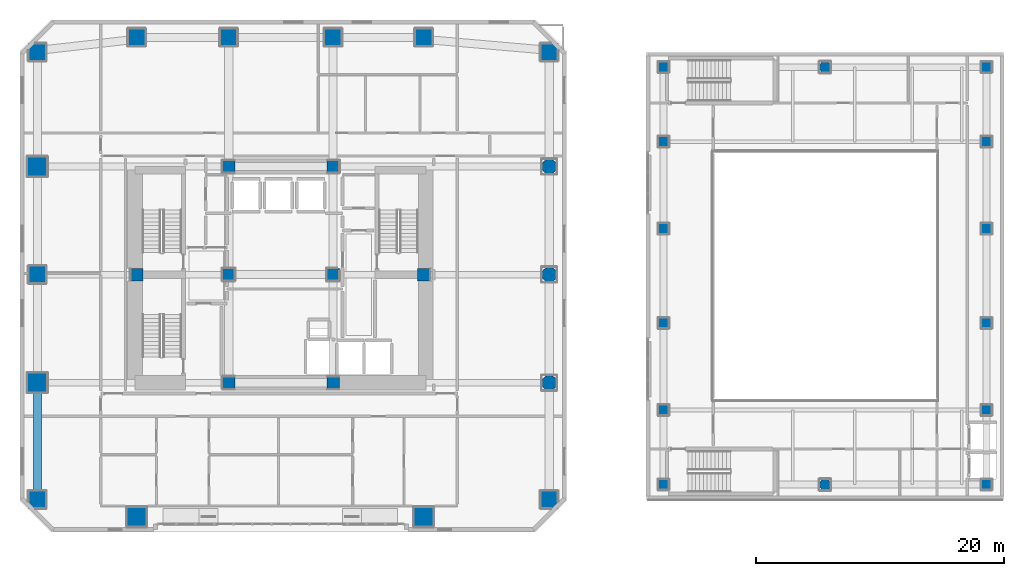
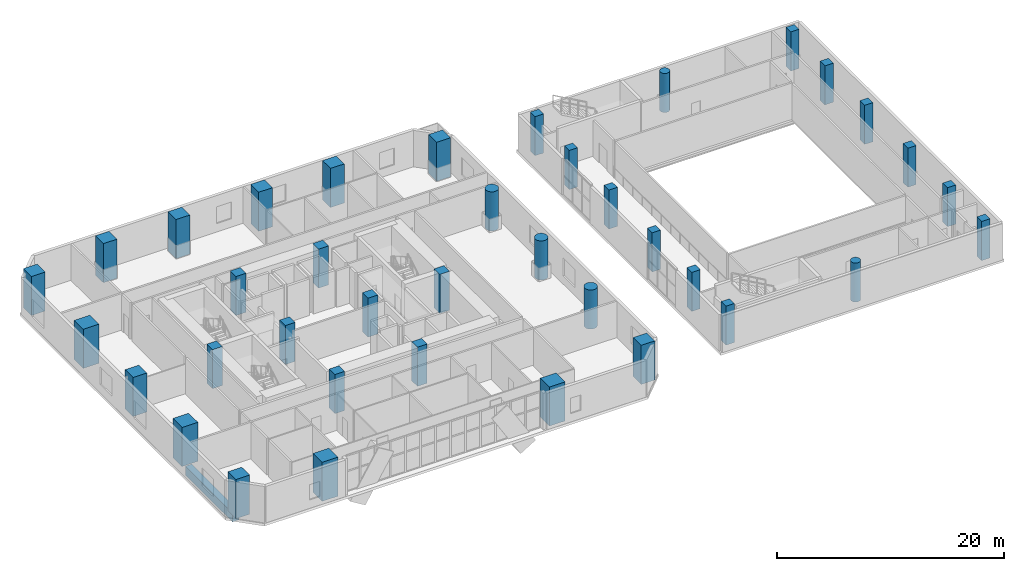
# One storey, part 1 of 20: 38 columns, 1 beam.
"""IFC4 building model written with IfcOpenShell, lengths in metres."""

from ifc_helpers import new_model, si_unit, direction, frame, origin, origin_2d, place, context, subcontext, project, spatial, rectangle, circle, extrude, material, material_profile, profile_set, type_object, element, save


model = new_model("IFC4")

# Units and contexts
model_context = context("Model", 3, precision=1e-05, world=origin(), true_north=direction((0.0, 1.0)))
body_context = subcontext(model_context, "Body", "Model", "MODEL_VIEW")
ifc_project = project(units=[si_unit("LENGTHUNIT", "METRE"), si_unit("AREAUNIT", "SQUARE_METRE"), si_unit("VOLUMEUNIT", "CUBIC_METRE"), si_unit("PLANEANGLEUNIT", "RADIAN"), si_unit("MASSUNIT", "GRAM", prefix="KILO")], contexts=[model_context])

# Site, building, storey
site_placement = place(None, origin())
site = spatial("IfcSite", under=ifc_project, at=site_placement, CompositionType="ELEMENT")
building_placement = place(site_placement, origin())
building = spatial("IfcBuilding", under=site, at=building_placement, Name="Solanera Arch Residences", CompositionType="ELEMENT")
storey_placement = place(building_placement, frame((0.0, 0.0, 9.39990234375)))
storey = spatial("IfcBuildingStorey", under=building, at=storey_placement, Name="L02", CompositionType="ELEMENT", Elevation=9.39990234375)

# Columns
ifc_material_1 = material(Name="Concrete C55/67 (f'c = 60 MPa)", Category="concrete")
ifc_material_profile_1 = material_profile(ifc_material_1, rectangle(XDim=1.0, YDim=1.0, at=origin_2d()))
ifc_profile_set_1 = profile_set([ifc_material_profile_1], Name="Concrete C55/67 (f'c = 60 MPa)")
column_type_1 = type_object("IfcColumnType", Name="Structural Column RC-COL-1000X1000", PredefinedType="COLUMN", material=ifc_profile_set_1)
for number, where, z_axis, x_axis, name in (
    (1, (20.800048828125, 22.0, 0.0), (0.0, 0.0, 1.0), (1.0, 0.0, 0.0), "COL-L02-CB-SW"),
    (2, (29.199951171875, 22.0, 0.0), (0.0, 0.0, 1.0), (1.0, 0.0, 0.0), "COL-L02-CB-SE"),
    (3, (20.800048828125, 39.39990234375, 0.0), (0.0, 0.0, 1.0), (1.0, 0.0, 0.0), "COL-L02-CB-NW"),
    (4, (29.199951171875, 39.39990234375, 0.0), (0.0, 0.0, 1.0), (1.0, 0.0, 0.0), "COL-L02-CB-NE"),
    (5, (13.39990234375, 30.699951171875, 0.0), (0.0, 0.0, 1.0), (1.0, 0.0, 0.0), "COL-L02-CB-WW"),
    (6, (36.5, 30.699951171875, 0.0), (0.0, 0.0, 1.0), (1.0, 0.0, 0.0), "COL-L02-CB-EE"),
    (7, (20.800048828125, 30.699951171875, 0.0), (0.0, 0.0, 1.0), (1.0, 0.0, 0.0), "COL-L02-CORE-W"),
    (8, (29.199951171875, 30.699951171875, 0.0), (0.0, 0.0, 1.0), (1.0, 0.0, 0.0), "COL-L02-CORE-E"),
):
    element("IfcColumn", number, at=place(storey_placement, frame(where, z_axis=z_axis, x_axis=x_axis)), inside=storey, type_object=column_type_1, Name=name, PredefinedType="COLUMN", context=body_context, shape_type="SweptSolid", body=[
        extrude(rectangle(XDim=1.0, YDim=1.0, at=origin_2d()), origin(), (0.0, 0.0, 1.0), 4.2001953125),
    ])
ifc_material_2 = material(Name="Concrete C55/67 (f'c = 60 MPa)", Category="concrete")
ifc_material_profile_2 = material_profile(ifc_material_2, rectangle(XDim=1.39990234375, YDim=1.39990234375, at=origin_2d()))
ifc_profile_set_2 = profile_set([ifc_material_profile_2], Name="Concrete C55/67 (f'c = 60 MPa)")
column_type_2 = type_object("IfcColumnType", Name="Structural Column RC-COL-1400X1400", PredefinedType="COLUMN", material=ifc_profile_set_2)
for number, where, z_axis, x_axis, name in (
    (9, (13.39990234375, 49.800048828125, 0.0), (0.0, 0.0, 1.0), (1.0, 0.0, 0.0), "COL-L02-POD-03"),
    (10, (20.800048828125, 49.800048828125, 0.0), (0.0, 0.0, 1.0), (1.0, 0.0, 0.0), "COL-L02-POD-04"),
    (11, (29.199951171875, 49.800048828125, 0.0), (0.0, 0.0, 1.0), (1.0, 0.0, 0.0), "COL-L02-POD-05"),
    (12, (36.5, 49.800048828125, 0.0), (0.0, 0.0, 1.0), (1.0, 0.0, 0.0), "COL-L02-POD-06"),
    (13, (5.39990234375, 30.699951171875, 0.0), (0.0, 0.0, 1.0), (1.0, 0.0, 0.0), "COL-L02-POD-08"),
    (14, (5.39990234375, 12.60009765625, 0.0), (0.0, 0.0, 1.0), (1.0, 0.0, 0.0), "COL-L02-POD-13"),
    (15, (46.60009765625, 12.60009765625, 0.0), (0.0, 0.0, 1.0), (1.0, 0.0, 0.0), "COL-L02-POD-14"),
    (16, (5.39990234375, 48.60009765625, 0.0), (0.0, 0.0, 1.0), (1.0, 0.0, 0.0), "COL-L02-POD-15"),
    (17, (46.60009765625, 48.60009765625, 0.0), (0.0, 0.0, 1.0), (1.0, 0.0, 0.0), "COL-L02-POD-16"),
):
    element("IfcColumn", number, at=place(storey_placement, frame(where, z_axis=z_axis, x_axis=x_axis)), inside=storey, type_object=column_type_2, Name=name, PredefinedType="COLUMN", context=body_context, shape_type="SweptSolid", body=[
        extrude(rectangle(XDim=1.39990234375, YDim=1.39990234375, at=origin_2d()), origin(), (0.0, 0.0, 1.0), 4.2001953125),
    ])
ifc_material_3 = material(Name="Concrete C55/67 (f'c = 60 MPa)", Category="concrete")
ifc_material_profile_3 = material_profile(ifc_material_3, rectangle(XDim=1.60009765625, YDim=1.60009765625, at=origin_2d()))
ifc_profile_set_3 = profile_set([ifc_material_profile_3], Name="Concrete C55/67 (f'c = 60 MPa)")
column_type_3 = type_object("IfcColumnType", Name="Structural Column RC-COL-1600X1600", PredefinedType="COLUMN", material=ifc_profile_set_3)
for number, where, z_axis, x_axis, name in (
    (18, (13.39990234375, 11.199951171875, 0.0), (0.0, 0.0, 1.0), (1.0, 0.0, 0.0), "COL-L02-POD-01"),
    (19, (36.5, 11.199951171875, 0.0), (0.0, 0.0, 1.0), (1.0, 0.0, 0.0), "COL-L02-POD-02"),
    (20, (5.39990234375, 22.0, 0.0), (0.0, 0.0, 1.0), (1.0, 0.0, 0.0), "COL-L02-POD-07"),
    (21, (5.39990234375, 39.39990234375, 0.0), (0.0, 0.0, 1.0), (1.0, 0.0, 0.0), "COL-L02-POD-09"),
):
    element("IfcColumn", number, at=place(storey_placement, frame(where, z_axis=z_axis, x_axis=x_axis)), inside=storey, type_object=column_type_3, Name=name, PredefinedType="COLUMN", context=body_context, shape_type="SweptSolid", body=[
        extrude(rectangle(XDim=1.60009765625, YDim=1.60009765625, at=origin_2d()), origin(), (0.0, 0.0, 1.0), 4.2001953125),
    ])
ifc_material_4 = material(Name="Concrete C40/50 (f'c = 45 MPa)", Category="concrete")
ifc_material_profile_4 = material_profile(ifc_material_4, rectangle(XDim=0.85009765625, YDim=0.85009765625, at=origin_2d()))
ifc_profile_set_4 = profile_set([ifc_material_profile_4], Name="Concrete C40/50 (f'c = 45 MPa)")
column_type_4 = type_object("IfcColumnType", Name="Structural Column RC-COL-850X850", PredefinedType="COLUMN", material=ifc_profile_set_4)
for number, where, z_axis, x_axis, name in (
    (22, (55.800048828125, 13.800048828125, 0.0), (0.0, 0.0, 1.0), (1.0, 0.0, 0.0), "COL-L02-HALL-01"),
    (23, (55.800048828125, 19.800048828125, 0.0), (0.0, 0.0, 1.0), (1.0, 0.0, 0.0), "COL-L02-HALL-02"),
    (24, (55.800048828125, 26.800048828125, 0.0), (0.0, 0.0, 1.0), (1.0, 0.0, 0.0), "COL-L02-HALL-03"),
    (25, (55.800048828125, 34.39990234375, 0.0), (0.0, 0.0, 1.0), (1.0, 0.0, 0.0), "COL-L02-HALL-04"),
    (26, (55.800048828125, 41.39990234375, 0.0), (0.0, 0.0, 1.0), (1.0, 0.0, 0.0), "COL-L02-HALL-05"),
    (27, (55.800048828125, 47.39990234375, 0.0), (0.0, 0.0, 1.0), (1.0, 0.0, 0.0), "COL-L02-HALL-06"),
    (28, (81.800048828125, 13.800048828125, 0.0), (0.0, 0.0, 1.0), (1.0, 0.0, 0.0), "COL-L02-HALL-07"),
    (29, (81.800048828125, 19.800048828125, 0.0), (0.0, 0.0, 1.0), (1.0, 0.0, 0.0), "COL-L02-HALL-08"),
    (30, (81.800048828125, 26.800048828125, 0.0), (0.0, 0.0, 1.0), (1.0, 0.0, 0.0), "COL-L02-HALL-09"),
    (31, (81.800048828125, 34.39990234375, 0.0), (0.0, 0.0, 1.0), (1.0, 0.0, 0.0), "COL-L02-HALL-10"),
    (32, (81.800048828125, 41.39990234375, 0.0), (0.0, 0.0, 1.0), (1.0, 0.0, 0.0), "COL-L02-HALL-11"),
    (33, (81.800048828125, 47.39990234375, 0.0), (0.0, 0.0, 1.0), (1.0, 0.0, 0.0), "COL-L02-HALL-12"),
):
    element("IfcColumn", number, at=place(storey_placement, frame(where, z_axis=z_axis, x_axis=x_axis)), inside=storey, type_object=column_type_4, Name=name, PredefinedType="COLUMN", context=body_context, shape_type="SweptSolid", body=[
        extrude(rectangle(XDim=0.85009765625, YDim=0.85009765625, at=origin_2d()), origin(), (0.0, 0.0, 1.0), 4.2001953125),
    ])
ifc_material_5 = material(Name="Concrete C55/67 (f'c = 60 MPa)", Category="concrete")
ifc_material_profile_5 = material_profile(ifc_material_5, circle(Radius=0.60009765625, at=origin_2d()))
ifc_profile_set_5 = profile_set([ifc_material_profile_5], Name="Concrete C55/67 (f'c = 60 MPa)")
column_type_5 = type_object("IfcColumnType", Name="Structural Column RC-COL-D1200", PredefinedType="COLUMN", material=ifc_profile_set_5)
for number, where, z_axis, x_axis, name in (
    (34, (46.60009765625, 22.0, 0.0), (0.0, 0.0, 1.0), (1.0, 0.0, 0.0), "COL-L02-POD-10"),
    (35, (46.60009765625, 30.699951171875, 0.0), (0.0, 0.0, 1.0), (1.0, 0.0, 0.0), "COL-L02-POD-11"),
    (36, (46.60009765625, 39.39990234375, 0.0), (0.0, 0.0, 1.0), (1.0, 0.0, 0.0), "COL-L02-POD-12"),
):
    element("IfcColumn", number, at=place(storey_placement, frame(where, z_axis=z_axis, x_axis=x_axis)), inside=storey, type_object=column_type_5, Name=name, PredefinedType="COLUMN", context=body_context, shape_type="SweptSolid", body=[
        extrude(circle(Radius=0.60009765625, at=origin_2d()), origin(), (0.0, 0.0, 1.0), 4.2001953125),
    ])
ifc_material_6 = material(Name="Concrete C40/50 (f'c = 45 MPa)", Category="concrete")
ifc_material_profile_6 = material_profile(ifc_material_6, circle(Radius=0.449951171875, at=origin_2d()))
ifc_profile_set_6 = profile_set([ifc_material_profile_6], Name="Concrete C40/50 (f'c = 45 MPa)")
column_type_6 = type_object("IfcColumnType", Name="Structural Column RC-COL-D900", PredefinedType="COLUMN", material=ifc_profile_set_6)
for number, where, z_axis, x_axis, name in (
    (37, (68.800048828125, 13.800048828125, 0.0), (0.0, 0.0, 1.0), (1.0, 0.0, 0.0), "COL-L02-HALL-13"),
    (38, (68.800048828125, 47.39990234375, 0.0), (0.0, 0.0, 1.0), (1.0, 0.0, 0.0), "COL-L02-HALL-14"),
):
    element("IfcColumn", number, at=place(storey_placement, frame(where, z_axis=z_axis, x_axis=x_axis)), inside=storey, type_object=column_type_6, Name=name, PredefinedType="COLUMN", context=body_context, shape_type="SweptSolid", body=[
        extrude(circle(Radius=0.449951171875, at=origin_2d()), origin(), (0.0, 0.0, 1.0), 4.2001953125),
    ])

# Beam
ifc_material_7 = material(Name="Concrete C40/50 (f'c = 45 MPa)", Category="concrete")
ifc_material_profile_7 = material_profile(ifc_material_7, rectangle(XDim=0.64990234375, YDim=0.949951171875, at=origin_2d()))
ifc_profile_set_7 = profile_set([ifc_material_profile_7], Name="Concrete C40/50 (f'c = 45 MPa)")
beam_type = type_object("IfcBeamType", Name="Primary Beam RC-BM-650X950", PredefinedType="BEAM", material=ifc_profile_set_7)
beam_placement = place(storey_placement, frame((5.39990234375, 13.139892578125, -0.7548828125), z_axis=(0.0, 1.0, 0.0), x_axis=(-1.0, 0.0, 0.0)))
element("IfcBeam", 39, at=beam_placement, inside=storey, type_object=beam_type, Name="BM-L02-POD-W1", PredefinedType="BEAM", context=body_context, shape_type="SweptSolid", body=[
    extrude(rectangle(XDim=0.64990234375, YDim=0.949951171875, at=origin_2d()), origin(), (0.0, 0.0, 1.0), 8.320068359375),
])

save(model, "model.ifc")
